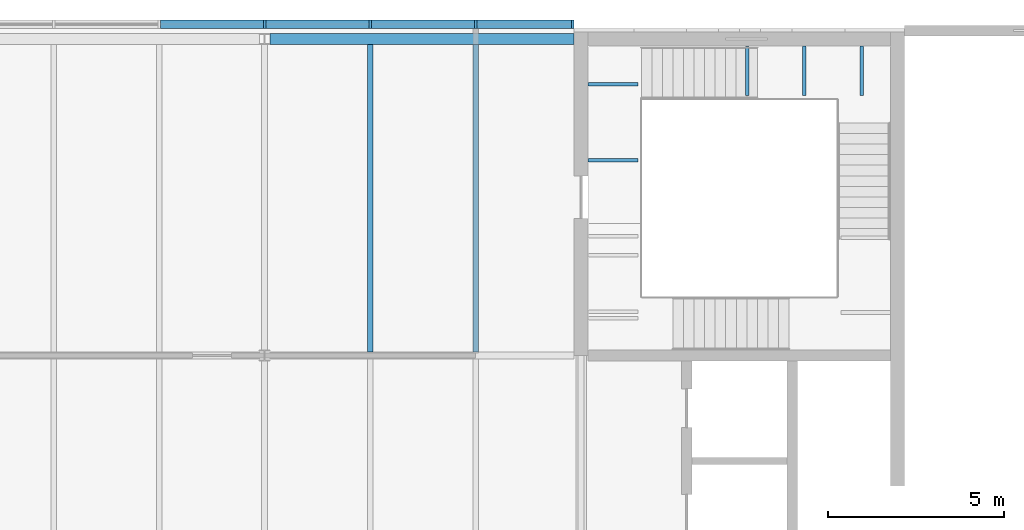
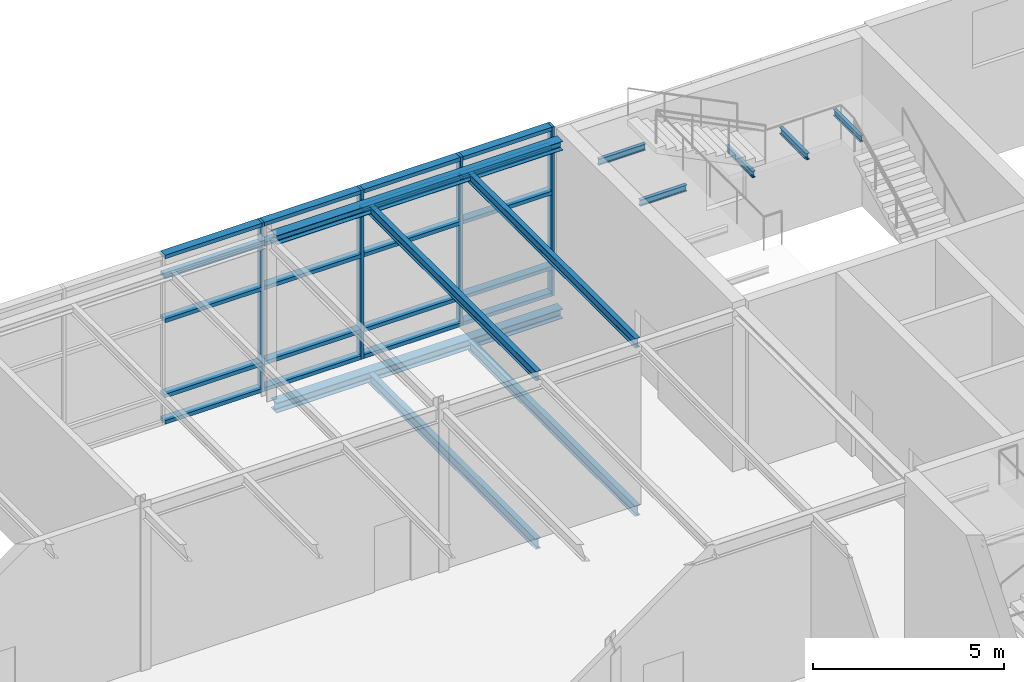
# One storey, part 17 of 46: 24 members, 11 beams, 1 element without a shape of its own.
"""IFC4 building model written with IfcOpenShell, lengths in metres."""

from ifc_helpers import new_model, si_unit, direction, frame, origin, origin_2d, place, context, subcontext, project, spatial, rectangle, i_section, extrude, material, material_profile, profile_set, type_object, element, aggregate, save


model = new_model("IFC4")

# Units and contexts
model_context = context("Model", 3, precision=1e-05, world=origin(), true_north=direction((0.0, 1.0)))
body_context = subcontext(model_context, "Body", "Model", "MODEL_VIEW")
ifc_project = project(units=[si_unit("LENGTHUNIT", "METRE"), si_unit("AREAUNIT", "SQUARE_METRE"), si_unit("VOLUMEUNIT", "CUBIC_METRE"), si_unit("PLANEANGLEUNIT", "RADIAN"), si_unit("MASSUNIT", "GRAM", prefix="KILO")], contexts=[model_context])

# Site, building, storey
site_placement = place(None, origin())
site = spatial("IfcSite", under=ifc_project, at=site_placement, CompositionType="ELEMENT")
building_placement = place(site_placement, origin())
building = spatial("IfcBuilding", under=site, at=building_placement, Name="Azimuth Sports and Learning Centre", CompositionType="ELEMENT")
storey_placement = place(building_placement, frame((0.0, 0.0, 21.60009765625)))
storey = spatial("IfcBuildingStorey", under=building, at=storey_placement, Name="L04", CompositionType="ELEMENT", Elevation=21.60009765625)

# Beams
ifc_material_1 = material(Name="Steel S355", Category="steel")
ifc_material_profile_1 = material_profile(ifc_material_1, i_section(OverallWidth=0.10009765625, OverallDepth=0.199951171875, WebThickness=0.005615234375, FlangeThickness=0.008544921875, FilletRadius=0.011962890625, at=origin_2d()), Name="IPE 200")
ifc_profile_set_1 = profile_set([ifc_material_profile_1], Name="Steel S355")
beam_type_1 = type_object("IfcBeamType", Name="Beam IPE 200", PredefinedType="BEAM", material=ifc_profile_set_1)
for number, where, z_axis, x_axis, name in (
    (1, (58.723388671875, 116.800048828125, 3.2998046875), (0.0, -1.0, 0.0), (1.0, 0.0, 0.0), "Landing bracket W2 L04 217"),
    (2, (60.35009765625, 116.800048828125, 3.2998046875), (0.0, -1.0, 0.0), (1.0, 0.0, 0.0), "Landing bracket W2 L04 218"),
    (3, (61.9765625, 116.800048828125, 3.2998046875), (0.0, -1.0, 0.0), (1.0, 0.0, 0.0), "Landing bracket W2 L04 219"),
    (4, (54.199951171875, 113.5537109375, 5.099853515625), (1.0, 0.0, 0.0), (0.0, 1.0, 0.0), "Landing bracket W2 L04 222"),
    (5, (54.199951171875, 115.711181640625, 5.099853515625), (1.0, 0.0, 0.0), (0.0, 1.0, 0.0), "Landing bracket W2 L04 223"),
):
    element("IfcBeam", number, at=place(storey_placement, frame(where, z_axis=z_axis, x_axis=x_axis)), inside=storey, type_object=beam_type_1, Name=name, PredefinedType="BEAM", context=body_context, shape_type="SweptSolid", body=[
        extrude(i_section(OverallWidth=0.10009765625, OverallDepth=0.199951171875, WebThickness=0.005615234375, FlangeThickness=0.008544921875, FilletRadius=0.011962890625, at=origin_2d()), origin(), (0.0, 0.0, 1.0), 1.41015625),
    ])
ifc_material_2 = material(Name="Steel S355", Category="steel")
ifc_material_profile_2 = material_profile(ifc_material_2, i_section(OverallWidth=0.300048828125, OverallDepth=0.2900390625, WebThickness=0.008544921875, FlangeThickness=0.013916015625, FilletRadius=0.027099609375, at=origin_2d()), Name="HEA 300")
ifc_profile_set_2 = profile_set([ifc_material_profile_2], Name="Steel S355")
beam_type_2 = type_object("IfcBeamType", Name="Edge beam HEA 300", PredefinedType="SPANDREL", material=ifc_profile_set_2)
beam_1_placement = place(storey_placement, frame((45.14990234375, 117.0, 5.054931640625), z_axis=(1.0, 0.0, 0.0), x_axis=(0.0, 1.0, 0.0)))
element("IfcBeam", 6, at=beam_1_placement, inside=storey, type_object=beam_type_2, Name="Edge beam L04 TE 16", PredefinedType="SPANDREL", context=body_context, shape_type="SweptSolid", body=[
    extrude(i_section(OverallWidth=0.300048828125, OverallDepth=0.2900390625, WebThickness=0.008544921875, FlangeThickness=0.013916015625, FilletRadius=0.027099609375, at=origin_2d()), origin(), (0.0, 0.0, 1.0), 8.650146484375),
])
ifc_material_3 = material(Name="Steel S355", Category="steel")
ifc_material_profile_3 = material_profile(ifc_material_3, i_section(OverallWidth=0.300048828125, OverallDepth=0.31005859375, WebThickness=0.009033203125, FlangeThickness=0.015380859375, FilletRadius=0.027099609375, at=origin_2d()), Name="HEA 320")
ifc_profile_set_3 = profile_set([ifc_material_profile_3], Name="Steel S355")
beam_type_3 = type_object("IfcBeamType", Name="Edge beam HEA 320", PredefinedType="SPANDREL", material=ifc_profile_set_3)
beam_2_placement = place(storey_placement, frame((45.14990234375, 117.0, -0.30517578125), z_axis=(1.0, 0.0, 0.0), x_axis=(0.0, 1.0, 0.0)))
element("IfcBeam", 7, at=beam_2_placement, inside=storey, type_object=beam_type_3, Name="Edge beam L04 WW 16", PredefinedType="SPANDREL", context=body_context, shape_type="SweptSolid", body=[
    extrude(i_section(OverallWidth=0.300048828125, OverallDepth=0.31005859375, WebThickness=0.009033203125, FlangeThickness=0.015380859375, FilletRadius=0.027099609375, at=origin_2d()), origin(), (0.0, 0.0, 1.0), 8.650146484375),
])
ifc_material_4 = material(Name="Steel S355", Category="steel")
ifc_material_profile_4 = material_profile(ifc_material_4, i_section(OverallWidth=0.14990234375, OverallDepth=0.300048828125, WebThickness=0.007080078125, FlangeThickness=0.0107421875, FilletRadius=0.014892578125, at=origin_2d()), Name="IPE 300")
ifc_profile_set_4 = profile_set([ifc_material_profile_4], Name="Steel S355")
beam_type_4 = type_object("IfcBeamType", Name="Joist IPE 300", PredefinedType="JOIST", material=ifc_profile_set_4)
for number, where, z_axis, x_axis, name in (
    (8, (48.0, 108.094970703125, 5.0498046875), (0.0, 1.0, 0.0), (-1.0, 0.0, 0.0), "Joist L04 TE 58"),
    (9, (51.0, 108.094970703125, 5.0498046875), (0.0, 1.0, 0.0), (-1.0, 0.0, 0.0), "Joist L04 TE 61"),
):
    element("IfcBeam", number, at=place(storey_placement, frame(where, z_axis=z_axis, x_axis=x_axis)), inside=storey, type_object=beam_type_4, Name=name, PredefinedType="JOIST", context=body_context, shape_type="SweptSolid", body=[
        extrude(i_section(OverallWidth=0.14990234375, OverallDepth=0.300048828125, WebThickness=0.007080078125, FlangeThickness=0.0107421875, FilletRadius=0.014892578125, at=origin_2d()), origin(), (0.0, 0.0, 1.0), 8.755126953125),
    ])
ifc_material_5 = material(Name="Steel S355", Category="steel")
ifc_material_profile_5 = material_profile(ifc_material_5, i_section(OverallWidth=0.159912109375, OverallDepth=0.330078125, WebThickness=0.007568359375, FlangeThickness=0.011474609375, FilletRadius=0.01806640625, at=origin_2d()), Name="IPE 330")
ifc_profile_set_5 = profile_set([ifc_material_profile_5], Name="Steel S355")
beam_type_5 = type_object("IfcBeamType", Name="Joist IPE 330", PredefinedType="JOIST", material=ifc_profile_set_5)
for number, where, z_axis, x_axis, name in (
    (10, (48.0, 108.10009765625, -0.315185546875), (0.0, 1.0, 0.0), (-1.0, 0.0, 0.0), "Joist L04 WW 50"),
    (11, (51.0, 108.10009765625, -0.315185546875), (0.0, 1.0, 0.0), (-1.0, 0.0, 0.0), "Joist L04 WW 53"),
):
    element("IfcBeam", number, at=place(storey_placement, frame(where, z_axis=z_axis, x_axis=x_axis)), inside=storey, type_object=beam_type_5, Name=name, PredefinedType="JOIST", context=body_context, shape_type="SweptSolid", body=[
        extrude(i_section(OverallWidth=0.159912109375, OverallDepth=0.330078125, WebThickness=0.007568359375, FlangeThickness=0.011474609375, FilletRadius=0.01806640625, at=origin_2d()), origin(), (0.0, 0.0, 1.0), 8.75),
    ])

# Curtain wall, members
ifc_material_6 = material(Name="Aluminium and glass", Category="aluminium")
curtain_wall_type = type_object("IfcCurtainWallType", Name="Curtain wall podium wing 240", PredefinedType="NOTDEFINED", material=ifc_material_6)
curtain_wall_placement = place(storey_placement, origin())
curtain_wall = element("IfcCurtainWall", 12, at=curtain_wall_placement, inside=storey, type_object=curtain_wall_type, Name="Curtain wall CW04-013", PredefinedType="NOTDEFINED")
ifc_material_7 = material(Name="Aluminium", Category="aluminium")
ifc_material_profile_6 = material_profile(ifc_material_7, rectangle(XDim=0.239990234375, YDim=0.080078125, at=origin_2d()), Name="Mullion 80x240")
ifc_profile_set_6 = profile_set([ifc_material_profile_6], Name="Aluminium")
member_type_1 = type_object("IfcMemberType", Name="Mullion 80x240", PredefinedType="MULLION", material=ifc_profile_set_6)
member_1_placement = place(storey_placement, frame((53.760009765625, 117.419921875, 0.0), z_axis=(0.0, 0.0, 1.0), x_axis=(0.0, -1.0, 0.0)))
member_1 = element("IfcMember", 13, at=member_1_placement, type_object=member_type_1, Name="CW04-013 mullion 1", PredefinedType="MULLION", context=body_context, shape_type="SweptSolid", body=[
    extrude(rectangle(XDim=0.239990234375, YDim=0.080078125, at=origin_2d()), origin(), (0.0, 0.0, 1.0), 5.39990234375),
])
member_2_placement = place(storey_placement, frame((51.0, 117.419921875, 0.0), z_axis=(0.0, 0.0, 1.0), x_axis=(0.0, -1.0, 0.0)))
member_2 = element("IfcMember", 14, at=member_2_placement, type_object=member_type_1, Name="CW04-013 mullion 2", PredefinedType="MULLION", context=body_context, shape_type="SweptSolid", body=[
    extrude(rectangle(XDim=0.239990234375, YDim=0.080078125, at=origin_2d()), origin(), (0.0, 0.0, 1.0), 5.39990234375),
])
member_3_placement = place(storey_placement, frame((48.0, 117.419921875, 0.0), z_axis=(0.0, 0.0, 1.0), x_axis=(0.0, -1.0, 0.0)))
member_3 = element("IfcMember", 15, at=member_3_placement, type_object=member_type_1, Name="CW04-013 mullion 3", PredefinedType="MULLION", context=body_context, shape_type="SweptSolid", body=[
    extrude(rectangle(XDim=0.239990234375, YDim=0.080078125, at=origin_2d()), origin(), (0.0, 0.0, 1.0), 5.39990234375),
])
member_4_placement = place(storey_placement, frame((45.0, 117.419921875, 0.0), z_axis=(0.0, 0.0, 1.0), x_axis=(0.0, -1.0, 0.0)))
member_4 = element("IfcMember", 16, at=member_4_placement, type_object=member_type_1, Name="CW04-013 mullion 4", PredefinedType="MULLION", context=body_context, shape_type="SweptSolid", body=[
    extrude(rectangle(XDim=0.239990234375, YDim=0.080078125, at=origin_2d()), origin(), (0.0, 0.0, 1.0), 5.39990234375),
])
ifc_material_8 = material(Name="Aluminium", Category="aluminium")
ifc_material_profile_7 = material_profile(ifc_material_8, rectangle(XDim=0.239990234375, YDim=0.1201171875, at=origin_2d()), Name="Transom 120x240")
ifc_profile_set_7 = profile_set([ifc_material_profile_7], Name="Aluminium")
member_type_2 = type_object("IfcMemberType", Name="Transom 120x240", PredefinedType="USERDEFINED", material=ifc_profile_set_7)
member_5_placement = place(storey_placement, frame((53.719970703125, 117.419921875, 0.059814453125), z_axis=(-1.0, 0.0, 0.0), x_axis=(0.0, -1.0, 0.0)))
member_5 = element("IfcMember", 17, at=member_5_placement, type_object=member_type_2, Name="CW04-013 transom 1.1", ObjectType="TRANSOM", PredefinedType="USERDEFINED", context=body_context, shape_type="SweptSolid", body=[
    extrude(rectangle(XDim=0.239990234375, YDim=0.1201171875, at=origin_2d()), origin(), (0.0, 0.0, 1.0), 2.679931640625),
])
member_6_placement = place(storey_placement, frame((53.719970703125, 117.419921875, 0.89990234375), z_axis=(-1.0, 0.0, 0.0), x_axis=(0.0, -1.0, 0.0)))
member_6 = element("IfcMember", 18, at=member_6_placement, type_object=member_type_2, Name="CW04-013 transom 1.2", ObjectType="TRANSOM", PredefinedType="USERDEFINED", context=body_context, shape_type="SweptSolid", body=[
    extrude(rectangle(XDim=0.239990234375, YDim=0.1201171875, at=origin_2d()), origin(), (0.0, 0.0, 1.0), 2.679931640625),
])
member_7_placement = place(storey_placement, frame((53.719970703125, 117.419921875, 3.2998046875), z_axis=(-1.0, 0.0, 0.0), x_axis=(0.0, -1.0, 0.0)))
member_7 = element("IfcMember", 19, at=member_7_placement, type_object=member_type_2, Name="CW04-013 transom 1.3", ObjectType="TRANSOM", PredefinedType="USERDEFINED", context=body_context, shape_type="SweptSolid", body=[
    extrude(rectangle(XDim=0.239990234375, YDim=0.1201171875, at=origin_2d()), origin(), (0.0, 0.0, 1.0), 2.679931640625),
])
member_8_placement = place(storey_placement, frame((53.719970703125, 117.419921875, 4.699951171875), z_axis=(-1.0, 0.0, 0.0), x_axis=(0.0, -1.0, 0.0)))
member_8 = element("IfcMember", 20, at=member_8_placement, type_object=member_type_2, Name="CW04-013 transom 1.4", ObjectType="TRANSOM", PredefinedType="USERDEFINED", context=body_context, shape_type="SweptSolid", body=[
    extrude(rectangle(XDim=0.239990234375, YDim=0.1201171875, at=origin_2d()), origin(), (0.0, 0.0, 1.0), 2.679931640625),
])
member_9_placement = place(storey_placement, frame((53.719970703125, 117.419921875, 5.33984375), z_axis=(-1.0, 0.0, 0.0), x_axis=(0.0, -1.0, 0.0)))
member_9 = element("IfcMember", 21, at=member_9_placement, type_object=member_type_2, Name="CW04-013 transom 1.5", ObjectType="TRANSOM", PredefinedType="USERDEFINED", context=body_context, shape_type="SweptSolid", body=[
    extrude(rectangle(XDim=0.239990234375, YDim=0.1201171875, at=origin_2d()), origin(), (0.0, 0.0, 1.0), 2.679931640625),
])
member_10_placement = place(storey_placement, frame((50.9599609375, 117.419921875, 0.059814453125), z_axis=(-1.0, 0.0, 0.0), x_axis=(0.0, -1.0, 0.0)))
member_10 = element("IfcMember", 22, at=member_10_placement, type_object=member_type_2, Name="CW04-013 transom 2.1", ObjectType="TRANSOM", PredefinedType="USERDEFINED", context=body_context, shape_type="SweptSolid", body=[
    extrude(rectangle(XDim=0.239990234375, YDim=0.1201171875, at=origin_2d()), origin(), (0.0, 0.0, 1.0), 2.919921875),
])
member_11_placement = place(storey_placement, frame((50.9599609375, 117.419921875, 0.89990234375), z_axis=(-1.0, 0.0, 0.0), x_axis=(0.0, -1.0, 0.0)))
member_11 = element("IfcMember", 23, at=member_11_placement, type_object=member_type_2, Name="CW04-013 transom 2.2", ObjectType="TRANSOM", PredefinedType="USERDEFINED", context=body_context, shape_type="SweptSolid", body=[
    extrude(rectangle(XDim=0.239990234375, YDim=0.1201171875, at=origin_2d()), origin(), (0.0, 0.0, 1.0), 2.919921875),
])
member_12_placement = place(storey_placement, frame((50.9599609375, 117.419921875, 3.2998046875), z_axis=(-1.0, 0.0, 0.0), x_axis=(0.0, -1.0, 0.0)))
member_12 = element("IfcMember", 24, at=member_12_placement, type_object=member_type_2, Name="CW04-013 transom 2.3", ObjectType="TRANSOM", PredefinedType="USERDEFINED", context=body_context, shape_type="SweptSolid", body=[
    extrude(rectangle(XDim=0.239990234375, YDim=0.1201171875, at=origin_2d()), origin(), (0.0, 0.0, 1.0), 2.919921875),
])
member_13_placement = place(storey_placement, frame((50.9599609375, 117.419921875, 4.699951171875), z_axis=(-1.0, 0.0, 0.0), x_axis=(0.0, -1.0, 0.0)))
member_13 = element("IfcMember", 25, at=member_13_placement, type_object=member_type_2, Name="CW04-013 transom 2.4", ObjectType="TRANSOM", PredefinedType="USERDEFINED", context=body_context, shape_type="SweptSolid", body=[
    extrude(rectangle(XDim=0.239990234375, YDim=0.1201171875, at=origin_2d()), origin(), (0.0, 0.0, 1.0), 2.919921875),
])
member_14_placement = place(storey_placement, frame((50.9599609375, 117.419921875, 5.33984375), z_axis=(-1.0, 0.0, 0.0), x_axis=(0.0, -1.0, 0.0)))
member_14 = element("IfcMember", 26, at=member_14_placement, type_object=member_type_2, Name="CW04-013 transom 2.5", ObjectType="TRANSOM", PredefinedType="USERDEFINED", context=body_context, shape_type="SweptSolid", body=[
    extrude(rectangle(XDim=0.239990234375, YDim=0.1201171875, at=origin_2d()), origin(), (0.0, 0.0, 1.0), 2.919921875),
])
member_15_placement = place(storey_placement, frame((47.9599609375, 117.419921875, 0.059814453125), z_axis=(-1.0, 0.0, 0.0), x_axis=(0.0, -1.0, 0.0)))
member_15 = element("IfcMember", 27, at=member_15_placement, type_object=member_type_2, Name="CW04-013 transom 3.1", ObjectType="TRANSOM", PredefinedType="USERDEFINED", context=body_context, shape_type="SweptSolid", body=[
    extrude(rectangle(XDim=0.239990234375, YDim=0.1201171875, at=origin_2d()), origin(), (0.0, 0.0, 1.0), 2.919921875),
])
member_16_placement = place(storey_placement, frame((47.9599609375, 117.419921875, 0.89990234375), z_axis=(-1.0, 0.0, 0.0), x_axis=(0.0, -1.0, 0.0)))
member_16 = element("IfcMember", 28, at=member_16_placement, type_object=member_type_2, Name="CW04-013 transom 3.2", ObjectType="TRANSOM", PredefinedType="USERDEFINED", context=body_context, shape_type="SweptSolid", body=[
    extrude(rectangle(XDim=0.239990234375, YDim=0.1201171875, at=origin_2d()), origin(), (0.0, 0.0, 1.0), 2.919921875),
])
member_17_placement = place(storey_placement, frame((47.9599609375, 117.419921875, 3.2998046875), z_axis=(-1.0, 0.0, 0.0), x_axis=(0.0, -1.0, 0.0)))
member_17 = element("IfcMember", 29, at=member_17_placement, type_object=member_type_2, Name="CW04-013 transom 3.3", ObjectType="TRANSOM", PredefinedType="USERDEFINED", context=body_context, shape_type="SweptSolid", body=[
    extrude(rectangle(XDim=0.239990234375, YDim=0.1201171875, at=origin_2d()), origin(), (0.0, 0.0, 1.0), 2.919921875),
])
member_18_placement = place(storey_placement, frame((47.9599609375, 117.419921875, 4.699951171875), z_axis=(-1.0, 0.0, 0.0), x_axis=(0.0, -1.0, 0.0)))
member_18 = element("IfcMember", 30, at=member_18_placement, type_object=member_type_2, Name="CW04-013 transom 3.4", ObjectType="TRANSOM", PredefinedType="USERDEFINED", context=body_context, shape_type="SweptSolid", body=[
    extrude(rectangle(XDim=0.239990234375, YDim=0.1201171875, at=origin_2d()), origin(), (0.0, 0.0, 1.0), 2.919921875),
])
member_19_placement = place(storey_placement, frame((47.9599609375, 117.419921875, 5.33984375), z_axis=(-1.0, 0.0, 0.0), x_axis=(0.0, -1.0, 0.0)))
member_19 = element("IfcMember", 31, at=member_19_placement, type_object=member_type_2, Name="CW04-013 transom 3.5", ObjectType="TRANSOM", PredefinedType="USERDEFINED", context=body_context, shape_type="SweptSolid", body=[
    extrude(rectangle(XDim=0.239990234375, YDim=0.1201171875, at=origin_2d()), origin(), (0.0, 0.0, 1.0), 2.919921875),
])
member_20_placement = place(storey_placement, frame((44.9599609375, 117.419921875, 0.059814453125), z_axis=(-1.0, 0.0, 0.0), x_axis=(0.0, -1.0, 0.0)))
member_20 = element("IfcMember", 32, at=member_20_placement, type_object=member_type_2, Name="CW04-013 transom 4.1", ObjectType="TRANSOM", PredefinedType="USERDEFINED", context=body_context, shape_type="SweptSolid", body=[
    extrude(rectangle(XDim=0.239990234375, YDim=0.1201171875, at=origin_2d()), origin(), (0.0, 0.0, 1.0), 2.919921875),
])
member_21_placement = place(storey_placement, frame((44.9599609375, 117.419921875, 0.89990234375), z_axis=(-1.0, 0.0, 0.0), x_axis=(0.0, -1.0, 0.0)))
member_21 = element("IfcMember", 33, at=member_21_placement, type_object=member_type_2, Name="CW04-013 transom 4.2", ObjectType="TRANSOM", PredefinedType="USERDEFINED", context=body_context, shape_type="SweptSolid", body=[
    extrude(rectangle(XDim=0.239990234375, YDim=0.1201171875, at=origin_2d()), origin(), (0.0, 0.0, 1.0), 2.919921875),
])
member_22_placement = place(storey_placement, frame((44.9599609375, 117.419921875, 3.2998046875), z_axis=(-1.0, 0.0, 0.0), x_axis=(0.0, -1.0, 0.0)))
member_22 = element("IfcMember", 34, at=member_22_placement, type_object=member_type_2, Name="CW04-013 transom 4.3", ObjectType="TRANSOM", PredefinedType="USERDEFINED", context=body_context, shape_type="SweptSolid", body=[
    extrude(rectangle(XDim=0.239990234375, YDim=0.1201171875, at=origin_2d()), origin(), (0.0, 0.0, 1.0), 2.919921875),
])
member_23_placement = place(storey_placement, frame((44.9599609375, 117.419921875, 4.699951171875), z_axis=(-1.0, 0.0, 0.0), x_axis=(0.0, -1.0, 0.0)))
member_23 = element("IfcMember", 35, at=member_23_placement, type_object=member_type_2, Name="CW04-013 transom 4.4", ObjectType="TRANSOM", PredefinedType="USERDEFINED", context=body_context, shape_type="SweptSolid", body=[
    extrude(rectangle(XDim=0.239990234375, YDim=0.1201171875, at=origin_2d()), origin(), (0.0, 0.0, 1.0), 2.919921875),
])
member_24_placement = place(storey_placement, frame((44.9599609375, 117.419921875, 5.33984375), z_axis=(-1.0, 0.0, 0.0), x_axis=(0.0, -1.0, 0.0)))
member_24 = element("IfcMember", 36, at=member_24_placement, type_object=member_type_2, Name="CW04-013 transom 4.5", ObjectType="TRANSOM", PredefinedType="USERDEFINED", context=body_context, shape_type="SweptSolid", body=[
    extrude(rectangle(XDim=0.239990234375, YDim=0.1201171875, at=origin_2d()), origin(), (0.0, 0.0, 1.0), 2.919921875),
])
aggregate(curtain_wall, [member_1, member_2, member_3, member_4, member_5, member_6, member_7, member_8, member_9, member_10, member_11, member_12, member_13, member_14, member_15, member_16, member_17, member_18, member_19, member_20, member_21, member_22, member_23, member_24])

save(model, "model.ifc")
